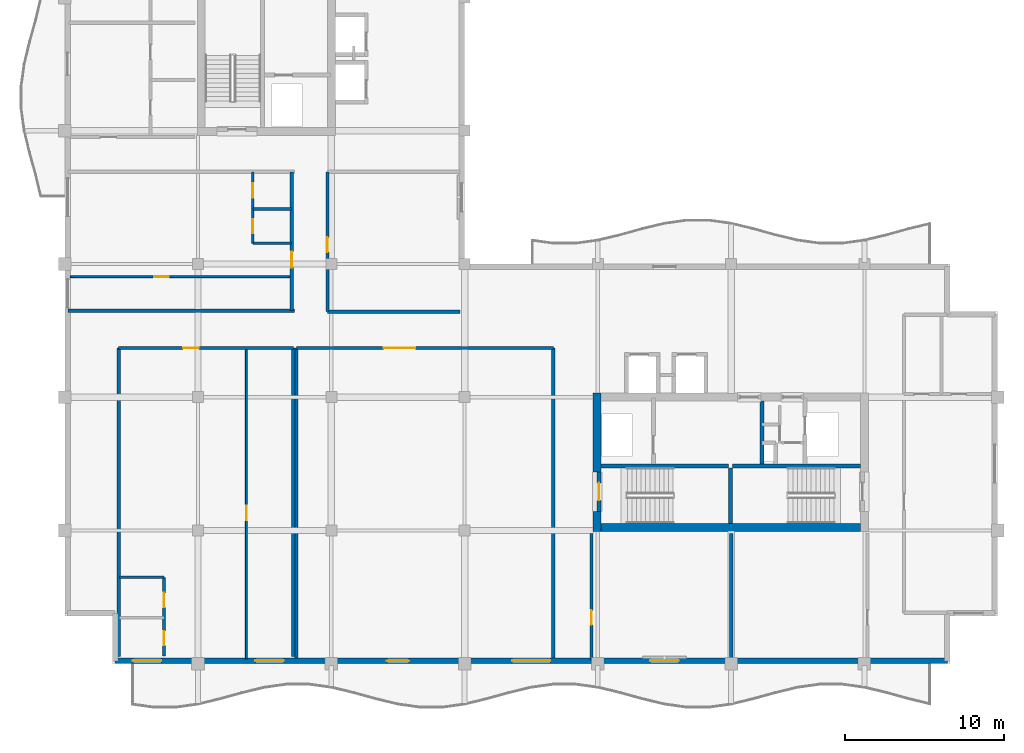
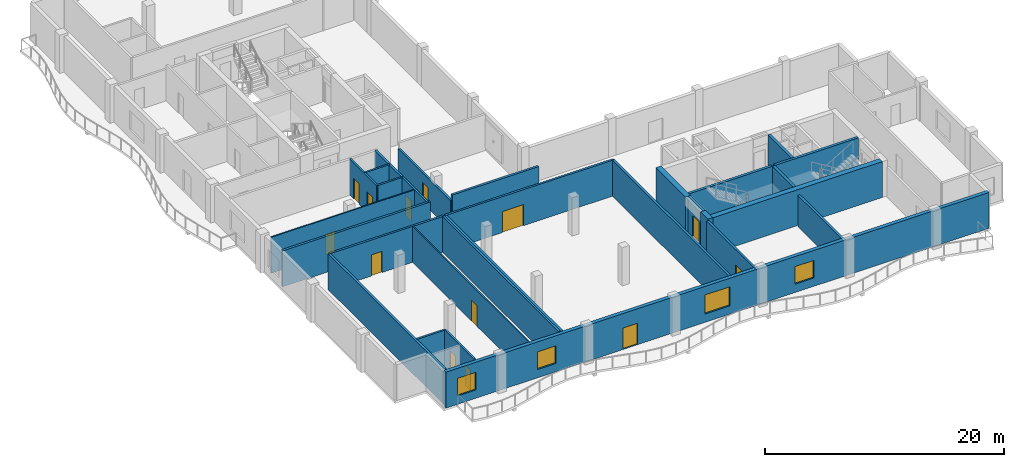
# One storey, part 3 of 11: 28 walls, 13 doors, 4 windows, 17 openings.
"""IFC4 building model written with IfcOpenShell, lengths in metres."""

from ifc_helpers import new_model, si_unit, direction, frame, frame_2d, origin, place, context, subcontext, project, spatial, rectangle, extrude, material, layer, layer_set, type_object, element, fill, save


model = new_model("IFC4")

# Units and contexts
model_context = context("Model", 3, precision=1e-05, world=origin(), true_north=direction((0.0, 1.0)))
body_context = subcontext(model_context, "Body", "Model", "MODEL_VIEW")
ifc_project = project(units=[si_unit("LENGTHUNIT", "METRE"), si_unit("AREAUNIT", "SQUARE_METRE"), si_unit("VOLUMEUNIT", "CUBIC_METRE"), si_unit("PLANEANGLEUNIT", "RADIAN"), si_unit("MASSUNIT", "GRAM", prefix="KILO")], contexts=[model_context])

# Site, building, storey
site_placement = place(None, origin())
site = spatial("IfcSite", under=ifc_project, at=site_placement, CompositionType="ELEMENT")
building_placement = place(site_placement, origin())
building = spatial("IfcBuilding", under=site, at=building_placement, Name="Koriwani Terraces Tower", CompositionType="ELEMENT")
storey_placement = place(building_placement, frame((0.0, 0.0, 335.89990234375)))
storey = spatial("IfcBuildingStorey", under=building, at=storey_placement, Name="L83", CompositionType="ELEMENT", Elevation=335.89990234375)

# Walls
ifc_material_1 = material(Name="Concrete C50/60", Category="concrete")
ifc_layer_1 = layer(ifc_material_1, 0.5, Name="Concrete C50/60")
ifc_layer_set_1 = layer_set([ifc_layer_1], Name="Concrete C50/60")
wall_type_1 = type_object("IfcWallType", Name="WALL_CORE_RC_500", PredefinedType="SHEAR", material=ifc_layer_set_1)
wall_1_placement = place(storey_placement, frame((41.949951171875, 16.75, 0.0), z_axis=(0.0, 0.0, 1.0), x_axis=(0.0, 1.0, 0.0)))
element("IfcWall", 1, at=wall_1_placement, inside=storey, type_object=wall_type_1, Name="L83 East Split Core Shear Wall W1", PredefinedType="SHEAR", context=body_context, shape_type="SweptSolid", body=[
    extrude(rectangle(XDim=1.25, YDim=0.5, at=frame_2d((0.625, 0.0))), origin(), (0.0, 0.0, 1.0), 3.670166015625),
])
wall_2_placement = place(storey_placement, frame((41.949951171875, 20.5, 0.0), z_axis=(0.0, 0.0, 1.0), x_axis=(0.0, 1.0, 0.0)))
element("IfcWall", 2, at=wall_2_placement, inside=storey, type_object=wall_type_1, Name="L83 East Split Core Shear Wall W2", PredefinedType="SHEAR", context=body_context, shape_type="SweptSolid", body=[
    extrude(rectangle(XDim=4.949951171875, YDim=0.5, at=frame_2d((2.47509765625, 0.0))), origin(), (0.0, 0.0, 1.0), 3.670166015625),
])
wall_3_placement = place(storey_placement, frame((42.199951171875, 17.0, 0.0), z_axis=(0.0, 0.0, 1.0), x_axis=(1.0, 0.0, 0.0)))
element("IfcWall", 3, at=wall_3_placement, inside=storey, type_object=wall_type_1, Name="L83 East Split Core Shear Wall S1", PredefinedType="SHEAR", context=body_context, shape_type="SweptSolid", body=[
    extrude(rectangle(XDim=16.35009765625, YDim=0.5, at=frame_2d((8.175048828125, 0.0))), origin(), (0.0, 0.0, 1.0), 3.670166015625),
])

# Wall, opening, door
ifc_material_2 = material(Name="Autoclaved Cellular Concrete Blockwork", Category="masonry")
ifc_layer_2 = layer(ifc_material_2, 0.199951171875, Name="Autoclaved Cellular Concrete Blockwork")
ifc_layer_set_2 = layer_set([ifc_layer_2], Name="Autoclaved Cellular Concrete Blockwork")
wall_type_2 = type_object("IfcWallType", Name="WALL_CORRIDOR_200", PredefinedType="PARTITIONING", material=ifc_layer_set_2)
wall_4_placement = place(storey_placement, frame((24.949951171875, 30.60009765625, 0.0), z_axis=(0.0, 0.0, 1.0), x_axis=(0.0, 1.0, 0.0)))
wall_4 = element("IfcWall", 4, at=wall_4_placement, inside=storey, type_object=wall_type_2, Name="L83 Interior Wall WIC4W-L83", PredefinedType="PARTITIONING", context=body_context, shape_type="SweptSolid", body=[
    extrude(rectangle(XDim=8.7998046875, YDim=0.199951171875, at=frame_2d((4.39990234375, 0.0))), origin(), (0.0, 0.0, 1.0), 3.070068359375),
])
opening_1_placement = place(wall_4_placement, frame((3.75, 0.0, 0.0)))
opening_1 = element("IfcOpeningElement", 5, at=opening_1_placement, cuts=wall_4, Name="Opening D-06", PredefinedType="OPENING", context=body_context, shape_type="SweptSolid", body=[
    extrude(rectangle(XDim=0.919921875, YDim=2.10009765625, at=frame_2d((0.4599609375, 1.050048828125))), frame((0.0, 0.10986328125, 0.0), z_axis=(0.0, -1.0, 0.0), x_axis=(1.0, 0.0, 0.0)), (0.0, 0.0, 1.0), 0.219970703125),
])
ifc_material_3 = material(Name="Architectural Oak Fire Door", Category="wood")
door_type_1 = type_object("IfcDoorType", Name="DOOR_ROOM_INT_920X2100", OperationType="NOTDEFINED", PredefinedType="DOOR", material=ifc_material_3)
door_1_placement = place(opening_1_placement, origin())
door_1 = element("IfcDoor", 6, at=door_1_placement, inside=storey, type_object=door_type_1, Name="L83 High-Rise Court Study Door", OperationType="SINGLE_SWING_LEFT", OverallHeight=2.10009765625, OverallWidth=0.919921875, PredefinedType="DOOR", context=body_context, shape_type="SweptSolid", body=[
    extrude(rectangle(XDim=0.919921875, YDim=2.10009765625, at=frame_2d((0.4599609375, 1.050048828125))), frame((0.0, 0.02490234375, 0.0), z_axis=(0.0, -1.0, 0.0), x_axis=(1.0, 0.0, 0.0)), (0.0, 0.0, 1.0), 0.050048828125),
])
fill(opening_1, door_1)

wall_5_placement = place(storey_placement, frame((41.60009765625, 8.64990234375, 0.0), z_axis=(0.0, 0.0, 1.0), x_axis=(0.0, 1.0, 0.0)))
wall_5 = element("IfcWall", 7, at=wall_5_placement, inside=storey, type_object=wall_type_2, Name="L83 Interior Wall WRZ4-EW-L83", PredefinedType="PARTITIONING", context=body_context, shape_type="SweptSolid", body=[
    extrude(rectangle(XDim=7.9501953125, YDim=0.199951171875, at=frame_2d((3.97509765625, 0.0))), origin(), (0.0, 0.0, 1.0), 3.670166015625),
])
opening_2_placement = place(wall_5_placement, frame((2.199951171875, 0.0, 0.0)))
opening_2 = element("IfcOpeningElement", 8, at=opening_2_placement, cuts=wall_5, Name="Opening D-06", PredefinedType="OPENING", context=body_context, shape_type="SweptSolid", body=[
    extrude(rectangle(XDim=0.919921875, YDim=2.10009765625, at=frame_2d((0.4599609375, 1.050048828125))), frame((0.0, 0.10986328125, 0.0), z_axis=(0.0, -1.0, 0.0), x_axis=(1.0, 0.0, 0.0)), (0.0, 0.0, 1.0), 0.219970703125),
])
door_2_placement = place(opening_2_placement, origin())
door_2 = element("IfcDoor", 9, at=door_2_placement, inside=storey, type_object=door_type_1, Name="L83 Resident Library Study Door", OperationType="SINGLE_SWING_RIGHT", OverallHeight=2.10009765625, OverallWidth=0.919921875, PredefinedType="DOOR", context=body_context, shape_type="SweptSolid", body=[
    extrude(rectangle(XDim=0.919921875, YDim=2.10009765625, at=frame_2d((0.4599609375, 1.050048828125))), frame((0.0, 0.02490234375, 0.0), z_axis=(0.0, -1.0, 0.0), x_axis=(1.0, 0.0, 0.0)), (0.0, 0.0, 1.0), 0.050048828125),
])
fill(opening_2, door_2)

wall_6_placement = place(storey_placement, frame((11.800048828125, 28.300048828125, 0.0), z_axis=(0.0, 0.0, 1.0), x_axis=(1.0, 0.0, 0.0)))
wall_6 = element("IfcWall", 10, at=wall_6_placement, inside=storey, type_object=wall_type_2, Name="L83 Interior Wall WGB-L83-SPINE-N", PredefinedType="PARTITIONING", context=body_context, shape_type="SweptSolid", body=[
    extrude(rectangle(XDim=11.0, YDim=0.199951171875, at=frame_2d((5.5, 0.0))), origin(), (0.0, 0.0, 1.0), 3.670166015625),
])
opening_3_placement = place(wall_6_placement, frame((4.050048828125, 0.0, 0.0)))
opening_3 = element("IfcOpeningElement", 11, at=opening_3_placement, cuts=wall_6, Name="Opening D-05", PredefinedType="OPENING", context=body_context, shape_type="SweptSolid", body=[
    extrude(rectangle(XDim=1.0, YDim=2.14990234375, at=frame_2d((0.5, 1.074951171875))), frame((0.0, 0.10986328125, 0.0), z_axis=(0.0, -1.0, 0.0), x_axis=(1.0, 0.0, 0.0)), (0.0, 0.0, 1.0), 0.219970703125),
])
door_type_2 = type_object("IfcDoorType", Name="DOOR_SUITE_ENTRY_1000X2150", OperationType="NOTDEFINED", PredefinedType="DOOR", material=ifc_material_3)
door_3_placement = place(opening_3_placement, origin())
door_3 = element("IfcDoor", 12, at=door_3_placement, inside=storey, type_object=door_type_2, Name="Corner Residence 83SP Entrance Door", OperationType="SINGLE_SWING_RIGHT", OverallHeight=2.14990234375, OverallWidth=1.0, PredefinedType="DOOR", context=body_context, shape_type="SweptSolid", body=[
    extrude(rectangle(XDim=1.0, YDim=2.14990234375, at=frame_2d((0.5, 1.074951171875))), frame((0.0, 0.02490234375, 0.0), z_axis=(0.0, -1.0, 0.0), x_axis=(1.0, 0.0, 0.0)), (0.0, 0.0, 1.0), 0.050048828125),
])
fill(opening_3, door_3)

wall_7_placement = place(storey_placement, frame((23.0, 28.300048828125, 0.0), z_axis=(0.0, 0.0, 1.0), x_axis=(1.0, 0.0, 0.0)))
wall_7 = element("IfcWall", 13, at=wall_7_placement, inside=storey, type_object=wall_type_2, Name="L83 Interior Wall WSPCLB-N-L83", PredefinedType="PARTITIONING", context=body_context, shape_type="SweptSolid", body=[
    extrude(rectangle(XDim=16.199951171875, YDim=0.199951171875, at=frame_2d((8.10009765625, 0.0))), origin(), (0.0, 0.0, 1.0), 3.670166015625),
])
opening_4_placement = place(wall_7_placement, frame((5.5, 0.0, 0.0)))
opening_4 = element("IfcOpeningElement", 14, at=opening_4_placement, cuts=wall_7, Name="Opening D-02", PredefinedType="OPENING", context=body_context, shape_type="SweptSolid", body=[
    extrude(rectangle(XDim=2.0, YDim=2.14990234375, at=frame_2d((1.0, 1.074951171875))), frame((0.0, 0.10986328125, 0.0), z_axis=(0.0, -1.0, 0.0), x_axis=(1.0, 0.0, 0.0)), (0.0, 0.0, 1.0), 0.219970703125),
])
ifc_material_4 = material(Name="Anodised Bronze Aluminium", Category="aluminium")
door_type_3 = type_object("IfcDoorType", Name="DOOR_ENTRANCE_DOUBLE_2000X2400", OperationType="NOTDEFINED", PredefinedType="DOOR", material=ifc_material_4)
door_4_placement = place(opening_4_placement, origin())
door_4 = element("IfcDoor", 15, at=door_4_placement, inside=storey, type_object=door_type_3, Name="L83 Sky Screening Salon Door", OperationType="SINGLE_SWING_RIGHT", OverallHeight=2.14990234375, OverallWidth=2.0, PredefinedType="DOOR", context=body_context, shape_type="SweptSolid", body=[
    extrude(rectangle(XDim=2.0, YDim=2.14990234375, at=frame_2d((1.0, 1.074951171875))), frame((0.0, 0.02490234375, 0.0), z_axis=(0.0, -1.0, 0.0), x_axis=(1.0, 0.0, 0.0)), (0.0, 0.0, 1.0), 0.050048828125),
])
fill(opening_4, door_4)

wall_8_placement = place(storey_placement, frame((22.699951171875, 30.64990234375, 0.0), z_axis=(0.0, 0.0, 1.0), x_axis=(0.0, 1.0, 0.0)))
wall_8 = element("IfcWall", 16, at=wall_8_placement, inside=storey, type_object=wall_type_2, Name="L83 Interior Wall WRCOR-L83-NE-0", PredefinedType="PARTITIONING", context=body_context, shape_type="SweptSolid", body=[
    extrude(rectangle(XDim=8.75, YDim=0.199951171875, at=frame_2d((4.375, 0.0))), origin(), (0.0, 0.0, 1.0), 3.670166015625),
])
opening_5_placement = place(wall_8_placement, frame((2.719970703125, 0.0, 0.0)))
opening_5 = element("IfcOpeningElement", 17, at=opening_5_placement, cuts=wall_8, Name="Opening D-05", PredefinedType="OPENING", context=body_context, shape_type="SweptSolid", body=[
    extrude(rectangle(XDim=1.0, YDim=2.14990234375, at=frame_2d((0.5, 1.074951171875))), frame((0.0, 0.10986328125, 0.0), z_axis=(0.0, -1.0, 0.0), x_axis=(1.0, 0.0, 0.0)), (0.0, 0.0, 1.0), 0.219970703125),
])
door_5_placement = place(opening_5_placement, origin())
door_5 = element("IfcDoor", 18, at=door_5_placement, inside=storey, type_object=door_type_2, Name="Apartment 83NE1 Entrance Door", OperationType="SINGLE_SWING_LEFT", OverallHeight=2.14990234375, OverallWidth=1.0, PredefinedType="DOOR", context=body_context, shape_type="SweptSolid", body=[
    extrude(rectangle(XDim=1.0, YDim=2.14990234375, at=frame_2d((0.5, 1.074951171875))), frame((0.0, 0.02490234375, 0.0), z_axis=(0.0, -1.0, 0.0), x_axis=(1.0, 0.0, 0.0)), (0.0, 0.0, 1.0), 0.050048828125),
])
fill(opening_5, door_5)

# Walls
ifc_layer_3 = layer(ifc_material_2, 0.219970703125, Name="Autoclaved Cellular Concrete Blockwork")
ifc_layer_set_3 = layer_set([ifc_layer_3], Name="Autoclaved Cellular Concrete Blockwork")
wall_type_3 = type_object("IfcWallType", Name="WALL_DEMISING_220", PredefinedType="PARTITIONING", material=ifc_layer_set_3)
wall_9_placement = place(storey_placement, frame((24.949951171875, 30.60009765625, 0.0), z_axis=(0.0, 0.0, 1.0), x_axis=(1.0, 0.0, 0.0)))
element("IfcWall", 19, at=wall_9_placement, inside=storey, type_object=wall_type_3, Name="L83 Interior Wall WIC4WS-L83", PredefinedType="PARTITIONING", context=body_context, shape_type="SweptSolid", body=[
    extrude(rectangle(XDim=8.35009765625, YDim=0.219970703125, at=frame_2d((4.175048828125, 0.0))), origin(), (0.0, 0.0, 1.0), 3.670166015625),
])
wall_10_placement = place(storey_placement, frame((50.39990234375, 8.64990234375, 0.0), z_axis=(0.0, 0.0, 1.0), x_axis=(0.0, 1.0, 0.0)))
element("IfcWall", 20, at=wall_10_placement, inside=storey, type_object=wall_type_3, Name="L83 Interior Wall WRZ4-EM-L83", PredefinedType="PARTITIONING", context=body_context, shape_type="SweptSolid", body=[
    extrude(rectangle(XDim=7.9501953125, YDim=0.219970703125, at=frame_2d((3.97509765625, 0.0))), origin(), (0.0, 0.0, 1.0), 3.20703125),
])
for number, where, z_axis, x_axis, name in (
    (21, (22.800048828125, 8.85009765625, 0.0), (0.0, 0.0, 1.0), (0.0, 1.0, 0.0), "L83 Interior Wall WGB-L83-SPINE-E"),
    (22, (11.800048828125, 8.85009765625, 0.0), (0.0, 0.0, 1.0), (0.0, 1.0, 0.0), "L83 Interior Wall WGB-L83-SPINE-W"),
):
    element("IfcWall", number, at=place(storey_placement, frame(where, z_axis=z_axis, x_axis=x_axis)), inside=storey, type_object=wall_type_3, Name=name, PredefinedType="PARTITIONING", context=body_context, shape_type="SweptSolid", body=[
        extrude(rectangle(XDim=19.449951171875, YDim=0.219970703125, at=frame_2d((9.72509765625, 0.0))), origin(), (0.0, 0.0, 1.0), 3.670166015625),
    ])
for number, where, z_axis, x_axis, name in (
    (23, (23.0, 8.75, 0.0), (0.0, 0.0, 1.0), (0.0, 1.0, 0.0), "L83 Interior Wall WSPCLB-W-L83"),
    (24, (39.199951171875, 8.75, 0.0), (0.0, 0.0, 1.0), (0.0, 1.0, 0.0), "L83 Interior Wall WSPCLB-E-L83"),
):
    element("IfcWall", number, at=place(storey_placement, frame(where, z_axis=z_axis, x_axis=x_axis)), inside=storey, type_object=wall_type_3, Name=name, PredefinedType="PARTITIONING", context=body_context, shape_type="SweptSolid", body=[
        extrude(rectangle(XDim=19.550048828125, YDim=0.219970703125, at=frame_2d((9.77490234375, 0.0))), origin(), (0.0, 0.0, 1.0), 3.670166015625),
    ])
wall_11_placement = place(storey_placement, frame((8.60009765625, 30.64990234375, 0.0), z_axis=(0.0, 0.0, 1.0), x_axis=(1.0, 0.0, 0.0)))
element("IfcWall", 25, at=wall_11_placement, inside=storey, type_object=wall_type_3, Name="L83 Interior Wall WRDEM-L83-NE-0", PredefinedType="PARTITIONING", context=body_context, shape_type="SweptSolid", body=[
    extrude(rectangle(XDim=14.27978515625, YDim=0.219970703125, at=frame_2d((7.139892578125, 0.0))), origin(), (0.0, 0.0, 1.0), 3.670166015625),
])

# Wall, openings, door, windows
ifc_layer_4 = layer(ifc_material_1, 0.35009765625, Name="Concrete C50/60")
ifc_layer_set_4 = layer_set([ifc_layer_4], Name="Concrete C50/60")
wall_type_4 = type_object("IfcWallType", Name="WALL_EXT_BRUTALIST_350", PredefinedType="STANDARD", material=ifc_layer_set_4)
wall_12_placement = place(storey_placement, frame((64.02490234375, 8.574951171875, 0.0), z_axis=(0.0, 0.0, 1.0), x_axis=(-1.0, 0.0, 0.0)))
wall_12 = element("IfcWall", 26, at=wall_12_placement, inside=storey, type_object=wall_type_4, Name="L83 Fair-Faced Brutalist Exterior Wall (S)", PredefinedType="STANDARD", context=body_context, shape_type="SweptSolid", body=[
    extrude(rectangle(XDim=52.449951171875, YDim=0.35009765625, at=frame_2d((26.22509765625, 0.0))), origin(), (0.0, 0.0, 1.0), 3.670166015625),
])
opening_6_placement = place(wall_12_placement, frame((33.925048828125, 0.0, 0.0)))
opening_6 = element("IfcOpeningElement", 27, at=opening_6_placement, cuts=wall_12, Name="Opening D-09", PredefinedType="OPENING", context=body_context, shape_type="SweptSolid", body=[
    extrude(rectangle(XDim=1.39990234375, YDim=2.199951171875, at=frame_2d((0.699951171875, 1.10009765625))), frame((0.0, 0.18505859375, 0.0), z_axis=(0.0, -1.0, 0.0), x_axis=(1.0, 0.0, 0.0)), (0.0, 0.0, 1.0), 0.3701171875),
])
opening_7_placement = place(wall_12_placement, frame((25.02490234375, 0.0, 0.85009765625)))
opening_7 = element("IfcOpeningElement", 28, at=opening_7_placement, cuts=wall_12, Name="Opening W-03", PredefinedType="OPENING", context=body_context, shape_type="SweptSolid", body=[
    extrude(rectangle(XDim=2.39990234375, YDim=1.949951171875, at=frame_2d((1.199951171875, 0.97509765625))), frame((0.0, 0.18505859375, 0.0), z_axis=(0.0, -1.0, 0.0), x_axis=(1.0, 0.0, 0.0)), (0.0, 0.0, 1.0), 0.3701171875),
])
opening_8_placement = place(wall_12_placement, frame((16.925048828125, 0.0, 0.85009765625)))
opening_8 = element("IfcOpeningElement", 29, at=opening_8_placement, cuts=wall_12, Name="Opening W-04", PredefinedType="OPENING", context=body_context, shape_type="SweptSolid", body=[
    extrude(rectangle(XDim=1.800048828125, YDim=1.800048828125, at=frame_2d((0.89990234375, 0.89990234375))), frame((0.0, 0.18505859375, 0.0), z_axis=(0.0, -1.0, 0.0), x_axis=(1.0, 0.0, 0.0)), (0.0, 0.0, 1.0), 0.3701171875),
])
opening_9_placement = place(wall_12_placement, frame((41.81494140625, 0.0, 0.85009765625)))
opening_9 = element("IfcOpeningElement", 30, at=opening_9_placement, cuts=wall_12, Name="Opening W-04", PredefinedType="OPENING", context=body_context, shape_type="SweptSolid", body=[
    extrude(rectangle(XDim=1.800048828125, YDim=1.800048828125, at=frame_2d((0.89990234375, 0.89990234375))), frame((0.0, 0.18505859375, 0.0), z_axis=(0.0, -1.0, 0.0), x_axis=(1.0, 0.0, 0.0)), (0.0, 0.0, 1.0), 0.3701171875),
])
opening_10_placement = place(wall_12_placement, frame((49.534912109375, 0.0, 0.85009765625)))
opening_10 = element("IfcOpeningElement", 31, at=opening_10_placement, cuts=wall_12, Name="Opening W-04", PredefinedType="OPENING", context=body_context, shape_type="SweptSolid", body=[
    extrude(rectangle(XDim=1.800048828125, YDim=1.800048828125, at=frame_2d((0.89990234375, 0.89990234375))), frame((0.0, 0.18505859375, 0.0), z_axis=(0.0, -1.0, 0.0), x_axis=(1.0, 0.0, 0.0)), (0.0, 0.0, 1.0), 0.3701171875),
])
door_type_4 = type_object("IfcDoorType", Name="DOOR_BALCONY_GLAZED_1400X2200", OperationType="NOTDEFINED", PredefinedType="DOOR", material=ifc_material_4)
door_6_placement = place(opening_6_placement, origin())
door_6 = element("IfcDoor", 32, at=door_6_placement, inside=storey, type_object=door_type_4, Name="L83 South Balcony Glazed Door", OperationType="SINGLE_SWING_LEFT", OverallHeight=2.199951171875, OverallWidth=1.39990234375, PredefinedType="DOOR", context=body_context, shape_type="SweptSolid", body=[
    extrude(rectangle(XDim=1.39990234375, YDim=2.199951171875, at=frame_2d((0.699951171875, 1.10009765625))), frame((0.0, 0.02490234375, 0.0), z_axis=(0.0, -1.0, 0.0), x_axis=(1.0, 0.0, 0.0)), (0.0, 0.0, 1.0), 0.050048828125),
])
fill(opening_6, door_6)
ifc_material_5 = material(Name="Tempered Laminated Low-E Glass", Category="glass")
window_type_1 = type_object("IfcWindowType", Name="WIN_RES_BED_1800X1800", PartitioningType="DOUBLE_PANEL_VERTICAL", PredefinedType="WINDOW", material=ifc_material_5)
window_1_placement = place(opening_8_placement, origin())
window_1 = element("IfcWindow", 33, at=window_1_placement, inside=storey, type_object=window_type_1, Name="L83 Exterior Window (S-12)", OverallHeight=1.800048828125, OverallWidth=1.800048828125, PartitioningType="SINGLE_PANEL", PredefinedType="WINDOW", context=body_context, shape_type="SweptSolid", body=[
    extrude(rectangle(XDim=1.800048828125, YDim=1.800048828125, at=frame_2d((0.89990234375, 0.89990234375))), frame((0.0, 0.030029296875, 0.0), z_axis=(0.0, -1.0, 0.0), x_axis=(1.0, 0.0, 0.0)), (0.0, 0.0, 1.0), 0.06005859375),
])
fill(opening_8, window_1)
window_2_placement = place(opening_9_placement, origin())
window_2 = element("IfcWindow", 34, at=window_2_placement, inside=storey, type_object=window_type_1, Name="L83 Exterior Window (S-R33)", OverallHeight=1.800048828125, OverallWidth=1.800048828125, PartitioningType="SINGLE_PANEL", PredefinedType="WINDOW", context=body_context, shape_type="SweptSolid", body=[
    extrude(rectangle(XDim=1.800048828125, YDim=1.800048828125, at=frame_2d((0.89990234375, 0.89990234375))), frame((0.0, 0.030029296875, 0.0), z_axis=(0.0, -1.0, 0.0), x_axis=(1.0, 0.0, 0.0)), (0.0, 0.0, 1.0), 0.06005859375),
])
fill(opening_9, window_2)
window_3_placement = place(opening_10_placement, origin())
window_3 = element("IfcWindow", 35, at=window_3_placement, inside=storey, type_object=window_type_1, Name="L83 Exterior Window (S-R34)", OverallHeight=1.800048828125, OverallWidth=1.800048828125, PartitioningType="SINGLE_PANEL", PredefinedType="WINDOW", context=body_context, shape_type="SweptSolid", body=[
    extrude(rectangle(XDim=1.800048828125, YDim=1.800048828125, at=frame_2d((0.89990234375, 0.89990234375))), frame((0.0, 0.030029296875, 0.0), z_axis=(0.0, -1.0, 0.0), x_axis=(1.0, 0.0, 0.0)), (0.0, 0.0, 1.0), 0.06005859375),
])
fill(opening_10, window_3)
window_type_2 = type_object("IfcWindowType", Name="WIN_RES_LIVING_2400X1950", PartitioningType="DOUBLE_PANEL_VERTICAL", PredefinedType="WINDOW", material=ifc_material_5)
window_4_placement = place(opening_7_placement, origin())
window_4 = element("IfcWindow", 36, at=window_4_placement, inside=storey, type_object=window_type_2, Name="L83 Exterior Window (S-9)", OverallHeight=1.949951171875, OverallWidth=2.39990234375, PartitioningType="SINGLE_PANEL", PredefinedType="WINDOW", context=body_context, shape_type="SweptSolid", body=[
    extrude(rectangle(XDim=2.39990234375, YDim=1.949951171875, at=frame_2d((1.199951171875, 0.97509765625))), frame((0.0, 0.030029296875, 0.0), z_axis=(0.0, -1.0, 0.0), x_axis=(1.0, 0.0, 0.0)), (0.0, 0.0, 1.0), 0.06005859375),
])
fill(opening_7, window_4)

# Wall, opening, door
ifc_material_6 = material(Name="Fire-Rated Acoustic Gypsum Partition", Category="masonry")
ifc_layer_5 = layer(ifc_material_6, 0.125, Name="Fire-Rated Acoustic Gypsum Partition")
ifc_layer_set_5 = layer_set([ifc_layer_5], Name="Fire-Rated Acoustic Gypsum Partition")
wall_type_5 = type_object("IfcWallType", Name="WALL_INT_125", PredefinedType="PARTITIONING", material=ifc_layer_set_5)
wall_13_placement = place(storey_placement, frame((19.85009765625, 8.699951171875, 0.0), z_axis=(0.0, 0.0, 1.0), x_axis=(0.0, 1.0, 0.0)))
wall_13 = element("IfcWall", 37, at=wall_13_placement, inside=storey, type_object=wall_type_5, Name="L83 Interior Wall WGB-L83-SPINE-BD", PredefinedType="PARTITIONING", context=body_context, shape_type="SweptSolid", body=[
    extrude(rectangle(XDim=19.650146484375, YDim=0.125, at=frame_2d((9.8251953125, 0.0))), origin(), (0.0, 0.0, 1.0), 3.670166015625),
])
opening_11_placement = place(wall_13_placement, frame((8.751953125, 0.0, 0.0)))
opening_11 = element("IfcOpeningElement", 38, at=opening_11_placement, cuts=wall_13, Name="Opening D-06", PredefinedType="OPENING", context=body_context, shape_type="SweptSolid", body=[
    extrude(rectangle(XDim=0.919921875, YDim=2.10009765625, at=frame_2d((0.4599609375, 1.050048828125))), frame((0.0, 0.072509765625, 0.0), z_axis=(0.0, -1.0, 0.0), x_axis=(1.0, 0.0, 0.0)), (0.0, 0.0, 1.0), 0.14501953125),
])
door_7_placement = place(opening_11_placement, origin())
door_7 = element("IfcDoor", 39, at=door_7_placement, inside=storey, type_object=door_type_1, Name="Corner Residence 83SP Master Suite Door", OperationType="SINGLE_SWING_LEFT", OverallHeight=2.10009765625, OverallWidth=0.919921875, PredefinedType="DOOR", context=body_context, shape_type="SweptSolid", body=[
    extrude(rectangle(XDim=0.919921875, YDim=2.10009765625, at=frame_2d((0.4599609375, 1.050048828125))), frame((0.0, 0.02490234375, 0.0), z_axis=(0.0, -1.0, 0.0), x_axis=(1.0, 0.0, 0.0)), (0.0, 0.0, 1.0), 0.050048828125),
])
fill(opening_11, door_7)

wall_14_placement = place(storey_placement, frame((8.75, 32.800048828125, 0.0), z_axis=(0.0, 0.0, 1.0), x_axis=(1.0, 0.0, 0.0)))
wall_14 = element("IfcWall", 40, at=wall_14_placement, inside=storey, type_object=wall_type_5, Name="L83 Interior Wall WRBED1-L83-NE-0", PredefinedType="PARTITIONING", context=body_context, shape_type="SweptSolid", body=[
    extrude(rectangle(XDim=13.949951171875, YDim=0.125, at=frame_2d((6.97509765625, 0.0))), origin(), (0.0, 0.0, 1.0), 3.670166015625),
])
opening_12_placement = place(wall_14_placement, frame((5.2900390625, 0.0, 0.0)))
opening_12 = element("IfcOpeningElement", 41, at=opening_12_placement, cuts=wall_14, Name="Opening D-06", PredefinedType="OPENING", context=body_context, shape_type="SweptSolid", body=[
    extrude(rectangle(XDim=0.919921875, YDim=2.10009765625, at=frame_2d((0.4599609375, 1.050048828125))), frame((0.0, 0.072509765625, 0.0), z_axis=(0.0, -1.0, 0.0), x_axis=(1.0, 0.0, 0.0)), (0.0, 0.0, 1.0), 0.14501953125),
])
door_8_placement = place(opening_12_placement, origin())
door_8 = element("IfcDoor", 42, at=door_8_placement, inside=storey, type_object=door_type_1, Name="Apartment 83NE1 Master Bedroom Door", OperationType="SINGLE_SWING_RIGHT", OverallHeight=2.10009765625, OverallWidth=0.919921875, PredefinedType="DOOR", context=body_context, shape_type="SweptSolid", body=[
    extrude(rectangle(XDim=0.919921875, YDim=2.10009765625, at=frame_2d((0.4599609375, 1.050048828125))), frame((0.0, 0.02490234375, 0.0), z_axis=(0.0, -1.0, 0.0), x_axis=(1.0, 0.0, 0.0)), (0.0, 0.0, 1.0), 0.050048828125),
])
fill(opening_12, door_8)

# Wall, openings, doors
ifc_layer_6 = layer(ifc_material_6, 0.179931640625, Name="Fire-Rated Acoustic Gypsum Partition")
ifc_layer_set_6 = layer_set([ifc_layer_6], Name="Fire-Rated Acoustic Gypsum Partition")
wall_type_6 = type_object("IfcWallType", Name="WALL_PLUMBING_180", PredefinedType="PLUMBINGWALL", material=ifc_layer_set_6)
wall_15_placement = place(storey_placement, frame((14.64990234375, 8.89990234375, 0.0), z_axis=(0.0, 0.0, 1.0), x_axis=(0.0, 1.0, 0.0)))
wall_15 = element("IfcWall", 43, at=wall_15_placement, inside=storey, type_object=wall_type_6, Name="L83 Interior Wall WGB-L83-SPINE-SVB", PredefinedType="PLUMBINGWALL", context=body_context, shape_type="SweptSolid", body=[
    extrude(rectangle(XDim=4.9501953125, YDim=0.179931640625, at=frame_2d((2.47509765625, 0.0))), origin(), (0.0, 0.0, 1.0), 3.670166015625),
])
opening_13_placement = place(wall_15_placement, frame((0.64990234375, 0.0, 0.0)))
opening_13 = element("IfcOpeningElement", 44, at=opening_13_placement, cuts=wall_15, Name="Opening D-07", PredefinedType="OPENING", context=body_context, shape_type="SweptSolid", body=[
    extrude(rectangle(XDim=0.89990234375, YDim=2.10009765625, at=frame_2d((0.449951171875, 1.050048828125))), frame((0.0, 0.10009765625, 0.0), z_axis=(0.0, -1.0, 0.0), x_axis=(1.0, 0.0, 0.0)), (0.0, 0.0, 1.0), 0.199951171875),
])
opening_14_placement = place(wall_15_placement, frame((3.050048828125, 0.0, 0.0)))
opening_14 = element("IfcOpeningElement", 45, at=opening_14_placement, cuts=wall_15, Name="Opening D-06", PredefinedType="OPENING", context=body_context, shape_type="SweptSolid", body=[
    extrude(rectangle(XDim=0.919921875, YDim=2.10009765625, at=frame_2d((0.4599609375, 1.050048828125))), frame((0.0, 0.10009765625, 0.0), z_axis=(0.0, -1.0, 0.0), x_axis=(1.0, 0.0, 0.0)), (0.0, 0.0, 1.0), 0.199951171875),
])
door_type_5 = type_object("IfcDoorType", Name="DOOR_BATH_INT_900X2100", OperationType="NOTDEFINED", PredefinedType="DOOR", material=ifc_material_3)
door_9_placement = place(opening_13_placement, origin())
door_9 = element("IfcDoor", 46, at=door_9_placement, inside=storey, type_object=door_type_5, Name="Corner Residence 83SP Bathroom Door", OperationType="SINGLE_SWING_LEFT", OverallHeight=2.10009765625, OverallWidth=0.89990234375, PredefinedType="DOOR", context=body_context, shape_type="SweptSolid", body=[
    extrude(rectangle(XDim=0.89990234375, YDim=2.10009765625, at=frame_2d((0.449951171875, 1.050048828125))), frame((0.0, 0.02490234375, 0.0), z_axis=(0.0, -1.0, 0.0), x_axis=(1.0, 0.0, 0.0)), (0.0, 0.0, 1.0), 0.050048828125),
])
fill(opening_13, door_9)
door_10_placement = place(opening_14_placement, origin())
door_10 = element("IfcDoor", 47, at=door_10_placement, inside=storey, type_object=door_type_1, Name="Corner Residence 83SP Kitchen Door", OperationType="SINGLE_SWING_RIGHT", OverallHeight=2.10009765625, OverallWidth=0.919921875, PredefinedType="DOOR", context=body_context, shape_type="SweptSolid", body=[
    extrude(rectangle(XDim=0.919921875, YDim=2.10009765625, at=frame_2d((0.4599609375, 1.050048828125))), frame((0.0, 0.02490234375, 0.0), z_axis=(0.0, -1.0, 0.0), x_axis=(1.0, 0.0, 0.0)), (0.0, 0.0, 1.0), 0.050048828125),
])
fill(opening_14, door_10)

# Wall
wall_16_placement = place(storey_placement, frame((11.85009765625, 13.85009765625, 0.0), z_axis=(0.0, 0.0, 1.0), x_axis=(1.0, 0.0, 0.0)))
element("IfcWall", 48, at=wall_16_placement, inside=storey, type_object=wall_type_6, Name="L83 Interior Wall WGB-L83-SPINE-SV2", PredefinedType="PLUMBINGWALL", context=body_context, shape_type="SweptSolid", body=[
    extrude(rectangle(XDim=2.7998046875, YDim=0.179931640625, at=frame_2d((1.39990234375, 0.0))), origin(), (0.0, 0.0, 1.0), 3.670166015625),
])

# Wall, openings, doors
wall_17_placement = place(storey_placement, frame((20.25, 34.89990234375, 0.0), z_axis=(0.0, 0.0, 1.0), x_axis=(0.0, 1.0, 0.0)))
wall_17 = element("IfcWall", 49, at=wall_17_placement, inside=storey, type_object=wall_type_6, Name="L83 Interior Wall WRSVC-L83-NE-0", PredefinedType="PLUMBINGWALL", context=body_context, shape_type="SweptSolid", body=[
    extrude(rectangle(XDim=4.5, YDim=0.179931640625, at=frame_2d((2.25, 0.0))), origin(), (0.0, 0.0, 1.0), 3.670166015625),
])
opening_15_placement = place(wall_17_placement, frame((0.6298828125, 0.0, 0.0)))
opening_15 = element("IfcOpeningElement", 50, at=opening_15_placement, cuts=wall_17, Name="Opening D-07", PredefinedType="OPENING", context=body_context, shape_type="SweptSolid", body=[
    extrude(rectangle(XDim=0.89990234375, YDim=2.10009765625, at=frame_2d((0.449951171875, 1.050048828125))), frame((0.0, 0.10009765625, 0.0), z_axis=(0.0, -1.0, 0.0), x_axis=(1.0, 0.0, 0.0)), (0.0, 0.0, 1.0), 0.199951171875),
])
opening_16_placement = place(wall_17_placement, frame((2.8701171875, 0.0, 0.0)))
opening_16 = element("IfcOpeningElement", 51, at=opening_16_placement, cuts=wall_17, Name="Opening D-06", PredefinedType="OPENING", context=body_context, shape_type="SweptSolid", body=[
    extrude(rectangle(XDim=0.919921875, YDim=2.10009765625, at=frame_2d((0.4599609375, 1.050048828125))), frame((0.0, 0.10009765625, 0.0), z_axis=(0.0, -1.0, 0.0), x_axis=(1.0, 0.0, 0.0)), (0.0, 0.0, 1.0), 0.199951171875),
])
door_11_placement = place(opening_15_placement, origin())
door_11 = element("IfcDoor", 52, at=door_11_placement, inside=storey, type_object=door_type_5, Name="Apartment 83NE1 Bathroom Door", OperationType="SINGLE_SWING_RIGHT", OverallHeight=2.10009765625, OverallWidth=0.89990234375, PredefinedType="DOOR", context=body_context, shape_type="SweptSolid", body=[
    extrude(rectangle(XDim=0.89990234375, YDim=2.10009765625, at=frame_2d((0.449951171875, 1.050048828125))), frame((0.0, 0.02490234375, 0.0), z_axis=(0.0, -1.0, 0.0), x_axis=(1.0, 0.0, 0.0)), (0.0, 0.0, 1.0), 0.050048828125),
])
fill(opening_15, door_11)
door_12_placement = place(opening_16_placement, origin())
door_12 = element("IfcDoor", 53, at=door_12_placement, inside=storey, type_object=door_type_1, Name="Apartment 83NE1 Kitchen Door", OperationType="SINGLE_SWING_LEFT", OverallHeight=2.10009765625, OverallWidth=0.919921875, PredefinedType="DOOR", context=body_context, shape_type="SweptSolid", body=[
    extrude(rectangle(XDim=0.919921875, YDim=2.10009765625, at=frame_2d((0.4599609375, 1.050048828125))), frame((0.0, 0.02490234375, 0.0), z_axis=(0.0, -1.0, 0.0), x_axis=(1.0, 0.0, 0.0)), (0.0, 0.0, 1.0), 0.050048828125),
])
fill(opening_16, door_12)

# Walls
for number, where, z_axis, x_axis, name in (
    (54, (20.25, 34.89990234375, 0.0), (0.0, 0.0, 1.0), (1.0, 0.0, 0.0), "L83 Interior Wall WRSVCS-L83-NE-0"),
    (55, (20.25, 37.06005859375, 0.0), (0.0, 0.0, 1.0), (1.0, 0.0, 0.0), "L83 Interior Wall WRSVCM-L83-NE-0"),
):
    element("IfcWall", number, at=place(storey_placement, frame(where, z_axis=z_axis, x_axis=x_axis)), inside=storey, type_object=wall_type_6, Name=name, PredefinedType="PLUMBINGWALL", context=body_context, shape_type="SweptSolid", body=[
        extrude(rectangle(XDim=2.449951171875, YDim=0.179931640625, at=frame_2d((1.22509765625, 0.0))), origin(), (0.0, 0.0, 1.0), 3.670166015625),
    ])
ifc_material_7 = material(Name="Concrete C40/50", Category="concrete")
ifc_layer_7 = layer(ifc_material_7, 0.25, Name="Concrete C40/50")
ifc_layer_set_7 = layer_set([ifc_layer_7], Name="Concrete C40/50")
wall_type_7 = type_object("IfcWallType", Name="WALL_SHAFT_RATED_250", PredefinedType="SOLIDWALL", material=ifc_layer_set_7)
for number, where, z_axis, x_axis, name in (
    (56, (42.199951171875, 20.875, 0.0), (0.0, 0.0, 1.0), (1.0, 0.0, 0.0), "L83 East Split Core Web Wall MID1"),
    (57, (50.5, 20.875, 0.0), (0.0, 0.0, 1.0), (1.0, 0.0, 0.0), "L83 East Split Core Web Wall MID2"),
):
    element("IfcWall", number, at=place(storey_placement, frame(where, z_axis=z_axis, x_axis=x_axis)), inside=storey, type_object=wall_type_7, Name=name, PredefinedType="SOLIDWALL", context=body_context, shape_type="SweptSolid", body=[
        extrude(rectangle(XDim=8.050048828125, YDim=0.25, at=frame_2d((4.02490234375, 0.0))), origin(), (0.0, 0.0, 1.0), 3.670166015625),
    ])
wall_18_placement = place(storey_placement, frame((50.375, 17.25, 0.0), z_axis=(0.0, 0.0, 1.0), x_axis=(0.0, 1.0, 0.0)))
element("IfcWall", 58, at=wall_18_placement, inside=storey, type_object=wall_type_7, Name="L83 East Split Core Stair Dividing Wall", PredefinedType="SOLIDWALL", context=body_context, shape_type="SweptSolid", body=[
    extrude(rectangle(XDim=3.5, YDim=0.25, at=frame_2d((1.75, 0.0))), origin(), (0.0, 0.0, 1.0), 3.670166015625),
])

# Wall, opening, door
wall_19_placement = place(storey_placement, frame((42.074951171875, 18.0, 0.0), z_axis=(0.0, 0.0, 1.0), x_axis=(0.0, 1.0, 0.0)))
wall_19 = element("IfcWall", 59, at=wall_19_placement, inside=storey, type_object=wall_type_7, Name="L83 Interior Wall WIN-CE-L83-STW", PredefinedType="SOLIDWALL", context=body_context, shape_type="SweptSolid", body=[
    extrude(rectangle(XDim=2.5, YDim=0.25, at=frame_2d((1.25, 0.0))), origin(), (0.0, 0.0, 1.0), 3.670166015625),
])
opening_17_placement = place(wall_19_placement, frame((0.699951171875, 0.0, 0.0)))
opening_17 = element("IfcOpeningElement", 60, at=opening_17_placement, cuts=wall_19, Name="Opening D-03", PredefinedType="OPENING", context=body_context, shape_type="SweptSolid", body=[
    extrude(rectangle(XDim=1.10009765625, YDim=2.14990234375, at=frame_2d((0.550048828125, 1.074951171875))), frame((0.0, 0.135009765625, 0.0), z_axis=(0.0, -1.0, 0.0), x_axis=(1.0, 0.0, 0.0)), (0.0, 0.0, 1.0), 0.27001953125),
])
ifc_material_8 = material(Name="Steel ASTM A572 Grade 50", Category="steel")
door_type_6 = type_object("IfcDoorType", Name="DOOR_STAIR_FIRE_1100X2150", OperationType="NOTDEFINED", PredefinedType="DOOR", material=ifc_material_8)
door_13_placement = place(opening_17_placement, origin())
door_13 = element("IfcDoor", 61, at=door_13_placement, inside=storey, type_object=door_type_6, Name="L83 Exit Stair ST-E1 Door", OperationType="SINGLE_SWING_RIGHT", OverallHeight=2.14990234375, OverallWidth=1.10009765625, PredefinedType="DOOR", context=body_context, shape_type="SweptSolid", body=[
    extrude(rectangle(XDim=1.10009765625, YDim=2.14990234375, at=frame_2d((0.550048828125, 1.074951171875))), frame((0.0, 0.02490234375, 0.0), z_axis=(0.0, -1.0, 0.0), x_axis=(1.0, 0.0, 0.0)), (0.0, 0.0, 1.0), 0.050048828125),
])
fill(opening_17, door_13)

# Wall
wall_20_placement = place(storey_placement, frame((52.340087890625, 21.0, 0.0), z_axis=(0.0, 0.0, 1.0), x_axis=(0.0, 1.0, 0.0)))
element("IfcWall", 62, at=wall_20_placement, inside=storey, type_object=wall_type_7, Name="L83 Interior Wall WIN-CE-L83-FFE", PredefinedType="SOLIDWALL", context=body_context, shape_type="SweptSolid", body=[
    extrude(rectangle(XDim=3.949951171875, YDim=0.25, at=frame_2d((1.97509765625, 0.0))), origin(), (0.0, 0.0, 1.0), 3.670166015625),
])

save(model, "model.ifc")
